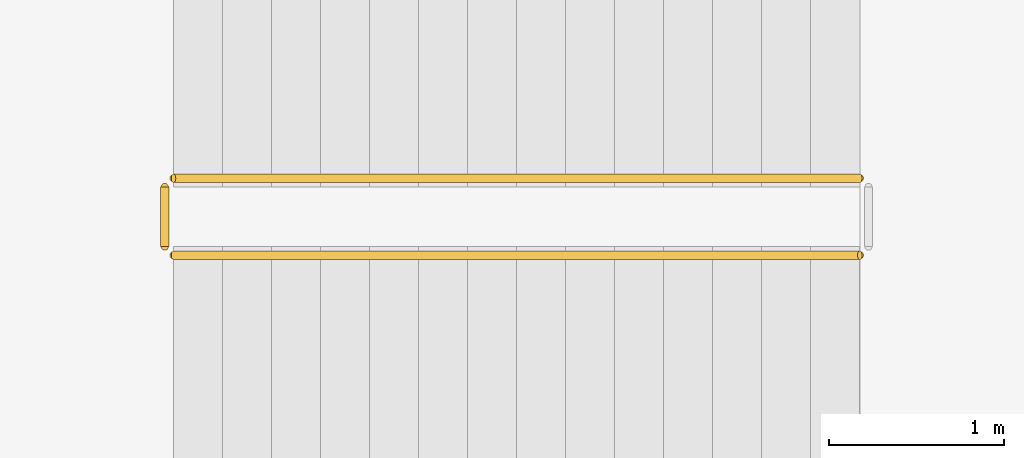
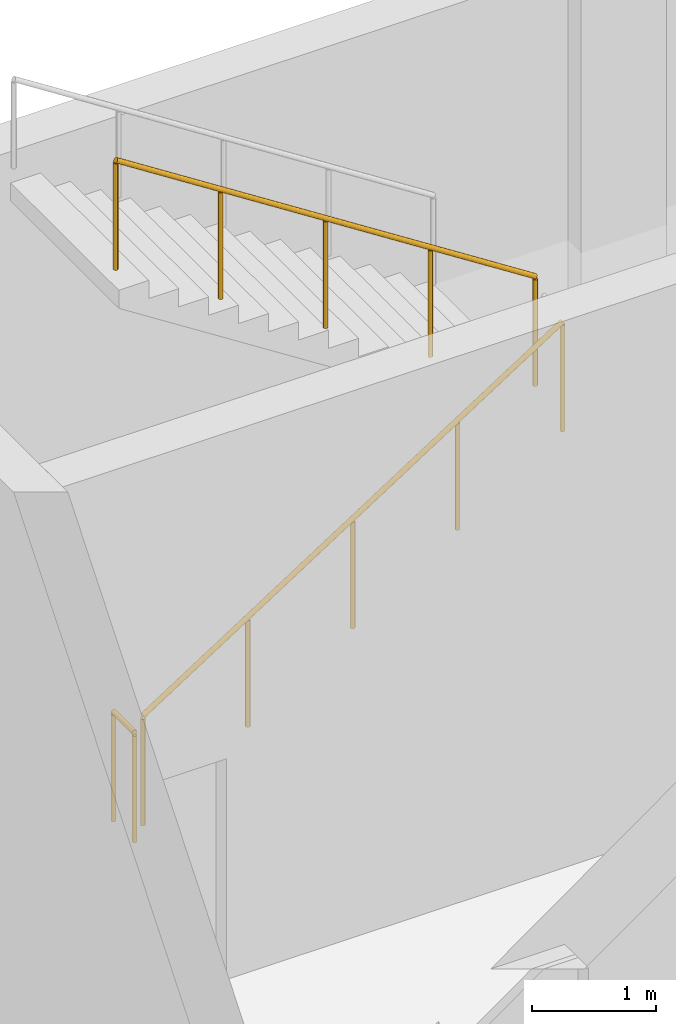
# One storey, part 54 of 65: 3 railings.
"""IFC4 building model written with IfcOpenShell, lengths in metres."""

import ifcopenshell
import ifcopenshell.guid

model = None  # the IFC model being written
_history = None  # IfcOwnerHistory: only IFC2X3 demands one
_inside = {}  # id of a spatial element -> (the spatial element, [elements in it])
_under = {}  # id of a project, library or spatial element -> (it, [spatial elements below it])
_declared = {}  # id of a project -> (the project, [libraries it declares])
_typed = {}  # id of a type object -> (the type object, [elements of that type])
_made_of = {}  # id of a material, layer set ... -> (it, [elements and type objects made of it])


def new_model(schema):
    """Start an empty IFC model of exactly this schema.

    Asked for "IFC4X3", IfcOpenShell would pick the latest addendum, in which some entities
    have other attributes; the version numbers below select the first issue.
    IFC2X3 requires an IfcOwnerHistory on every rooted entity: one is made here for all.
    """
    global model, _history
    if schema == "IFC4X3":
        model = ifcopenshell.file(schema_version=(4, 3, 0, 0))
    else:
        model = ifcopenshell.file(schema=schema)
    _inside.clear()
    _under.clear()
    _declared.clear()
    _typed.clear()
    _made_of.clear()
    _history = None
    if model.schema == "IFC2X3":
        org = make("IfcOrganization", Name="unknown")
        user = make(
            "IfcPersonAndOrganization",
            ThePerson=make("IfcPerson", FamilyName="unknown"),
            TheOrganization=org,
        )
        app = make(
            "IfcApplication",
            ApplicationDeveloper=org,
            Version="unknown",
            ApplicationFullName="unknown",
            ApplicationIdentifier="unknown",
        )
        _history = make(
            "IfcOwnerHistory",
            OwningUser=user,
            OwningApplication=app,
            ChangeAction="ADDED",
            CreationDate=0,
        )
    return model


def make(cls, **values):
    """One entity of the class cls with the attributes given. An attribute that is None is left unset."""
    return model.create_entity(
        cls, **{name: value for name, value in values.items() if value is not None}
    )


def rooted(cls, **values):
    """An entity with a GlobalId (a new one), such as an element, a storey or a relation."""
    return make(cls, GlobalId=ifcopenshell.guid.new(), OwnerHistory=_history, **values)


def si_unit(unit_type, name, prefix=None):
    """IfcSIUnit, for example si_unit("LENGTHUNIT", "METRE", prefix="MILLI")."""
    return make("IfcSIUnit", UnitType=unit_type, Prefix=prefix, Name=name)


def assignment(units):
    """IfcUnitAssignment: the units of a project."""
    return None if units is None else make("IfcUnitAssignment", Units=units)


def point(xyz):
    """IfcCartesianPoint."""
    return None if xyz is None else make("IfcCartesianPoint", Coordinates=xyz)


def direction(xyz):
    """IfcDirection."""
    return None if xyz is None else make("IfcDirection", DirectionRatios=xyz)


def frame(location, z_axis=None, x_axis=None):
    """IfcAxis2Placement3D, a coordinate frame: its origin and axes. An axis left out is left unset."""
    return make(
        "IfcAxis2Placement3D",
        Location=point(location),
        Axis=direction(z_axis),
        RefDirection=direction(x_axis),
    )


def frame_2d(location, x_axis=None):
    """IfcAxis2Placement2D, a coordinate frame in the plane: its origin and x axis."""
    return make(
        "IfcAxis2Placement2D", Location=point(location), RefDirection=direction(x_axis)
    )


def origin():
    """The frame at (0, 0, 0) with its axes left unset."""
    return frame((0.0, 0.0, 0.0))


def origin_2d():
    """The frame at (0, 0) in the plane with its x axis left unset."""
    return frame_2d((0.0, 0.0))


def place(relative_to, where):
    """IfcLocalPlacement: puts the frame where relative to a parent placement (None: the world)."""
    return make(
        "IfcLocalPlacement", PlacementRelTo=relative_to, RelativePlacement=where
    )


def context(
    kind, dimensions, precision=None, world=None, true_north=None, identifier=None
):
    """IfcGeometricRepresentationContext, for example the 3D "Model" context."""
    return make(
        "IfcGeometricRepresentationContext",
        ContextIdentifier=identifier,
        ContextType=kind,
        CoordinateSpaceDimension=dimensions,
        Precision=precision,
        WorldCoordinateSystem=world,
        TrueNorth=true_north,
    )


def subcontext(parent, identifier, kind, view, scale=None):
    """IfcGeometricRepresentationSubContext, for example "Body" below "Model"."""
    return make(
        "IfcGeometricRepresentationSubContext",
        ContextIdentifier=identifier,
        ContextType=kind,
        ParentContext=parent,
        TargetScale=scale,
        TargetView=view,
    )


def project(units=None, contexts=None):
    """IfcProject with its units and contexts."""
    return rooted(
        "IfcProject",
        Name="project",
        RepresentationContexts=contexts,
        UnitsInContext=assignment(units),
    )


def spatial(cls, under=None, at=None, **own):
    """A site, building, storey or space (cls), placed at a placement, below another one or the project."""
    s = rooted(cls, ObjectPlacement=at, **own)
    if under is not None:
        _under.setdefault(under.id(), (under, []))[1].append(s)
    return s


def profile(cls, at=None, kind="AREA", **sizes):
    """A parametric profile (cls). Its sizes go by their IFC names, for example OverallWidth=200.0."""
    return make(cls, ProfileType=kind, Position=at, **sizes)


def circle(**sizes):
    """IfcCircleProfileDef."""
    return profile("IfcCircleProfileDef", **sizes)


def extrude(swept, where, along, depth):
    """IfcExtrudedAreaSolid: the profile swept, set in the frame where, extruded along a direction by depth."""
    return make(
        "IfcExtrudedAreaSolid",
        SweptArea=swept,
        Position=where,
        ExtrudedDirection=direction(along),
        Depth=depth,
    )


def shape(context_of_items, identifier, shape_type, items):
    """IfcShapeRepresentation: the items that make up one representation, for example the "Body"."""
    return make(
        "IfcShapeRepresentation",
        ContextOfItems=context_of_items,
        RepresentationIdentifier=identifier,
        RepresentationType=shape_type,
        Items=items,
    )


def material(Name=None, Category=None):
    """IfcMaterial."""
    return make("IfcMaterial", Name=Name, Category=Category)


def layer(
    of_material, thickness, ventilated=None, Name=None, Category=None, Priority=None
):
    """IfcMaterialLayer: one layer of a wall or slab, of a material (None: an air gap)."""
    return make(
        "IfcMaterialLayer",
        Material=of_material,
        LayerThickness=thickness,
        IsVentilated=ventilated,
        Name=Name,
        Category=Category,
        Priority=Priority,
    )


def layer_set(layers, Name=None):
    """IfcMaterialLayerSet."""
    return make("IfcMaterialLayerSet", MaterialLayers=layers, LayerSetName=Name)


def made_of(thing, what):
    """Note that an element or type object is made of a material, layer set ...; save() writes the relation."""
    if what is not None:
        _made_of.setdefault(what.id(), (what, []))[1].append(thing)
    return thing


def type_object(cls, material=None, **own):
    """A type object (cls), such as IfcWallType, which elements share."""
    return made_of(rooted(cls, **own), material)


def element(
    cls,
    number,
    at=None,
    inside=None,
    cuts=None,
    type_object=None,
    material=None,
    context=None,
    identifier="Body",
    shape_type=None,
    held_by="IfcProductDefinitionShape",
    body=None,
    shapes=None,
    **own,
):
    """One element of the class cls, such as IfcWall. Its Tag is "e" and its number.

    at: its placement. inside: the storey or other place that contains it. cuts: it is an
    opening in that element (IfcRelVoidsElement). A single representation is given by context,
    identifier, shape_type and body (its items); several are given by shapes. held_by: the class
    of the entity that holds the representations. save() writes the other relations.
    """
    e = rooted(cls, Tag="e%d" % number, ObjectPlacement=at, **own)
    if body is not None:
        shapes = [shape(context, identifier, shape_type, body)]
    if shapes is not None:
        e.Representation = make(held_by, Representations=shapes)
    if inside is not None:
        _inside.setdefault(inside.id(), (inside, []))[1].append(e)
    if cuts is not None:
        rooted(
            "IfcRelVoidsElement", RelatingBuildingElement=cuts, RelatedOpeningElement=e
        )
    if type_object is not None:
        _typed.setdefault(type_object.id(), (type_object, []))[1].append(e)
    return made_of(e, material)


def aggregate(whole, parts):
    """IfcRelAggregates: a whole, such as a stair, and the parts it consists of."""
    return rooted("IfcRelAggregates", RelatingObject=whole, RelatedObjects=parts)


def save(model, path):
    """Write the relations noted so far, then the file.

    IfcRelAggregates (storeys below a building ...), IfcRelContainedInSpatialStructure (elements
    in a storey), IfcRelDefinesByType, IfcRelAssociatesMaterial and IfcRelDeclares: one each for
    every whole, place, type object, material and project.
    """
    for whole, parts in _under.values():
        aggregate(whole, parts)
    for where, things in _inside.values():
        rooted(
            "IfcRelContainedInSpatialStructure",
            RelatedElements=things,
            RelatingStructure=where,
        )
    for kind, things in _typed.values():
        rooted("IfcRelDefinesByType", RelatedObjects=things, RelatingType=kind)
    for what, things in _made_of.values():
        rooted("IfcRelAssociatesMaterial", RelatedObjects=things, RelatingMaterial=what)
    for by, libraries in _declared.values():
        rooted("IfcRelDeclares", RelatingContext=by, RelatedDefinitions=libraries)
    model.write(path)


model = new_model("IFC4")

# Units and contexts
model_context = context("Model", 3, precision=1e-05, world=origin(), true_north=direction((0.0, 1.0)))
body_context = subcontext(model_context, "Body", "Model", "MODEL_VIEW")
ifc_project = project(units=[si_unit("LENGTHUNIT", "METRE"), si_unit("AREAUNIT", "SQUARE_METRE"), si_unit("VOLUMEUNIT", "CUBIC_METRE"), si_unit("PLANEANGLEUNIT", "RADIAN"), si_unit("MASSUNIT", "GRAM", prefix="KILO")], contexts=[model_context])

# Site, building, storey
site_placement = place(None, origin())
site = spatial("IfcSite", under=ifc_project, at=site_placement, CompositionType="ELEMENT")
building_placement = place(site_placement, origin())
building = spatial("IfcBuilding", under=site, at=building_placement, Name="Zulmaris Art Gallery", CompositionType="ELEMENT")
storey_placement = place(building_placement, origin())
storey = spatial("IfcBuildingStorey", under=building, at=storey_placement, Name="L00", CompositionType="ELEMENT", Elevation=0.0)

# Railings
ifc_material = material(Name="Steel S355J2", Category="steel")
ifc_layer = layer(ifc_material, 0.050048828125)
ifc_layer_set = layer_set([ifc_layer], Name="Steel S355J2")
railing_type = type_object("IfcRailingType", Name="RAIL-STGRD", PredefinedType="GUARDRAIL", material=ifc_layer_set)
railing_1_placement = place(storey_placement, frame((68.699951171875, 73.110107421875, 0.179931640625)))
element("IfcRailing", 1, at=railing_1_placement, inside=storey, type_object=railing_type, Name="L00 ST7 stair guard 1", PredefinedType="GUARDRAIL", context=body_context, shape_type="SweptSolid", body=[
    extrude(circle(Radius=0.02392578125, at=origin_2d()), frame((0.0, 0.0, 1.076171875), z_axis=(0.841186985886, 0.0, 0.540744352514), x_axis=(0.0, 1.0, 0.0)), (0.0, 0.0, 1.0), 4.660400390625),
    extrude(circle(Radius=0.02099609375, at=origin_2d()), origin(), (0.0, 0.0, 1.0), 1.052001953125),
    extrude(circle(Radius=0.02099609375, at=origin_2d()), frame((0.97998046875, 0.0, 0.6298828125)), (0.0, 0.0, 1.0), 1.052001953125),
    extrude(circle(Radius=0.02099609375, at=origin_2d()), frame((1.9599609375, 0.0, 1.260009765625)), (0.0, 0.0, 1.0), 1.052001953125),
    extrude(circle(Radius=0.02099609375, at=origin_2d()), frame((2.940185546875, 0.0, 1.89013671875)), (0.0, 0.0, 1.0), 1.052001953125),
    extrude(circle(Radius=0.02099609375, at=origin_2d()), frame((3.920166015625, 0.0, 2.52001953125)), (0.0, 0.0, 1.0), 1.052001953125),
])
railing_2_placement = place(storey_placement, frame((72.6201171875, 73.550048828125, 2.8798828125)))
element("IfcRailing", 2, at=railing_2_placement, inside=storey, type_object=railing_type, Name="L00 ST7 stair guard 3", PredefinedType="GUARDRAIL", context=body_context, shape_type="SweptSolid", body=[
    extrude(circle(Radius=0.02392578125, at=origin_2d()), frame((0.0, 0.0, 1.076171875), z_axis=(-0.841186985886, 0.0, 0.540744352514), x_axis=(0.0, -1.0, 0.0)), (0.0, 0.0, 1.0), 4.660400390625),
    extrude(circle(Radius=0.02099609375, at=origin_2d()), origin(), (0.0, 0.0, 1.0), 1.052001953125),
    extrude(circle(Radius=0.02099609375, at=origin_2d()), frame((-0.97998046875, 0.0, 0.6298828125)), (0.0, 0.0, 1.0), 1.052001953125),
    extrude(circle(Radius=0.02099609375, at=origin_2d()), frame((-1.9599609375, 0.0, 1.260009765625)), (0.0, 0.0, 1.0), 1.052001953125),
    extrude(circle(Radius=0.02099609375, at=origin_2d()), frame((-2.940185546875, 0.0, 1.89013671875)), (0.0, 0.0, 1.0), 1.052001953125),
    extrude(circle(Radius=0.02099609375, at=origin_2d()), frame((-3.920166015625, 0.0, 2.52001953125)), (0.0, 0.0, 1.0), 1.052001953125),
])
railing_3_placement = place(storey_placement, frame((68.64990234375, 73.159912109375, 0.0)))
element("IfcRailing", 3, at=railing_3_placement, inside=storey, type_object=railing_type, Name="L00 ST7 stair guard 4", PredefinedType="GUARDRAIL", context=body_context, shape_type="SweptSolid", body=[
    extrude(circle(Radius=0.02392578125, at=origin_2d()), frame((0.0, 0.0, 1.076171875), z_axis=(0.0, 1.0, 0.0), x_axis=(-1.0, 0.0, 0.0)), (0.0, 0.0, 1.0), 0.340087890625),
    extrude(circle(Radius=0.02099609375, at=origin_2d()), origin(), (0.0, 0.0, 1.0), 1.052001953125),
    extrude(circle(Radius=0.02099609375, at=origin_2d()), frame((0.0, 0.340087890625, 0.0)), (0.0, 0.0, 1.0), 1.052001953125),
])

save(model, "model.ifc")
